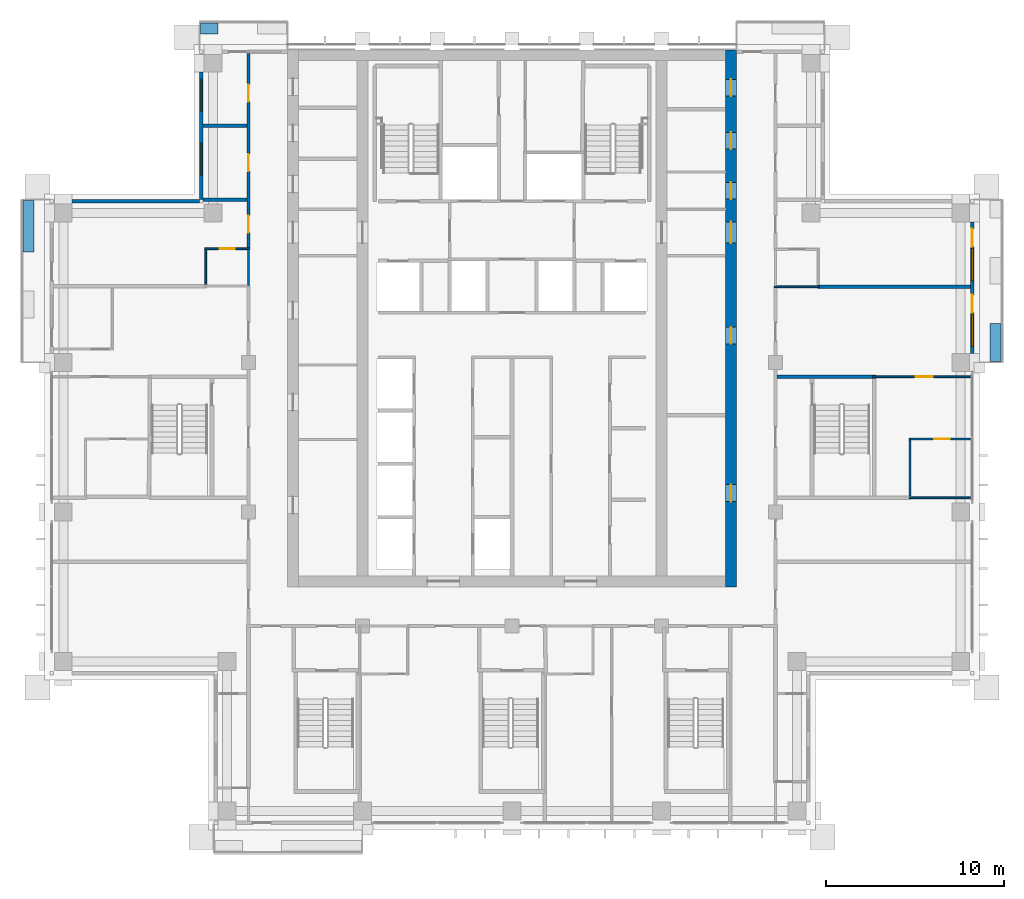
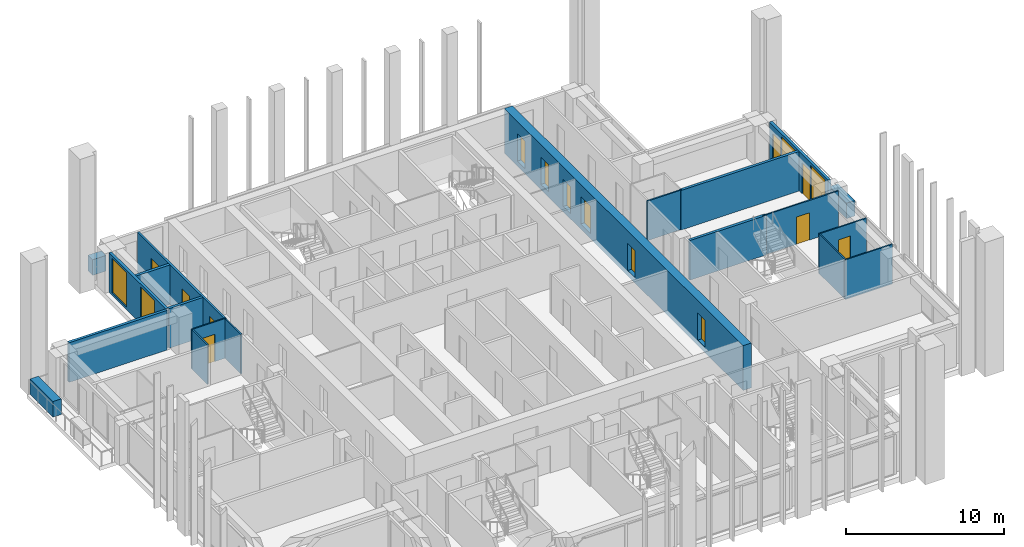
# One storey, part 11 of 17: 20 walls, 14 doors, 4 windows, 18 openings.
"""IFC4 building model written with IfcOpenShell, lengths in metres."""

from ifc_helpers import new_model, si_unit, direction, frame, frame_2d, origin, place, context, subcontext, project, spatial, rectangle, extrude, material, layer, layer_set, type_object, element, fill, save


model = new_model("IFC4")

# Units and contexts
model_context = context("Model", 3, precision=1e-05, world=origin(), true_north=direction((0.0, 1.0)))
body_context = subcontext(model_context, "Body", "Model", "MODEL_VIEW")
ifc_project = project(units=[si_unit("LENGTHUNIT", "METRE"), si_unit("AREAUNIT", "SQUARE_METRE"), si_unit("VOLUMEUNIT", "CUBIC_METRE"), si_unit("PLANEANGLEUNIT", "RADIAN"), si_unit("MASSUNIT", "GRAM", prefix="KILO")], contexts=[model_context])

# Site, building, storey
site_placement = place(None, origin())
site = spatial("IfcSite", under=ifc_project, at=site_placement, CompositionType="ELEMENT")
building_placement = place(site_placement, origin())
building = spatial("IfcBuilding", under=site, at=building_placement, Name="Vermilion Ogive Tower", CompositionType="ELEMENT")
storey_placement = place(building_placement, frame((0.0, 0.0, 175.550048828125)))
storey = spatial("IfcBuildingStorey", under=building, at=storey_placement, Name="L45", CompositionType="ELEMENT", Elevation=175.550048828125)

# Wall, openings, doors
ifc_material_1 = material(Name="Concrete B60", Category="concrete")
ifc_layer_1 = layer(ifc_material_1, 0.60009765625)
ifc_layer_set_1 = layer_set([ifc_layer_1], Name="Core wall 600 B60")
wall_type_1 = type_object("IfcWallType", Name="Core wall 600 B60", PredefinedType="SHEAR", material=ifc_layer_set_1)
wall_1_placement = place(storey_placement, frame((12.300048828125, -8.39990234375, -0.400146484375), z_axis=(0.0, 0.0, 1.0), x_axis=(0.0, 1.0, 0.0)))
wall_1 = element("IfcWall", 1, at=wall_1_placement, inside=storey, type_object=wall_type_1, Name="L45-CORE-E", PredefinedType="SHEAR", context=body_context, shape_type="SweptSolid", body=[
    extrude(rectangle(XDim=30.14990234375, YDim=0.60009765625, at=frame_2d((15.074951171875, 0.0))), origin(), (0.0, 0.0, 1.0), 3.4501953125),
])
opening_1_placement = place(wall_1_placement, frame((4.78759765625, 0.0, 0.39990234375)))
opening_1 = element("IfcOpeningElement", 2, at=opening_1_placement, cuts=wall_1, Name="Opening DAC067", PredefinedType="OPENING", context=body_context, shape_type="SweptSolid", body=[
    extrude(rectangle(XDim=0.949951171875, YDim=2.10009765625, at=frame_2d((0.47509765625, 1.050048828125))), frame((0.0, 0.31005859375, 0.0), z_axis=(0.0, -1.0, 0.0), x_axis=(1.0, 0.0, 0.0)), (0.0, 0.0, 1.0), 0.6201171875),
])
opening_2_placement = place(wall_1_placement, frame((13.6376953125, 0.0, 0.39990234375)))
opening_2 = element("IfcOpeningElement", 3, at=opening_2_placement, cuts=wall_1, Name="Opening DAC068", PredefinedType="OPENING", context=body_context, shape_type="SweptSolid", body=[
    extrude(rectangle(XDim=0.949951171875, YDim=2.10009765625, at=frame_2d((0.47509765625, 1.050048828125))), frame((0.0, 0.31005859375, 0.0), z_axis=(0.0, -1.0, 0.0), x_axis=(1.0, 0.0, 0.0)), (0.0, 0.0, 1.0), 0.6201171875),
])
opening_3_placement = place(wall_1_placement, frame((21.7705078125, 0.0, 0.39990234375)))
opening_3 = element("IfcOpeningElement", 4, at=opening_3_placement, cuts=wall_1, Name="Opening DAC069", PredefinedType="OPENING", context=body_context, shape_type="SweptSolid", body=[
    extrude(rectangle(XDim=0.949951171875, YDim=2.10009765625, at=frame_2d((0.47509765625, 1.050048828125))), frame((0.0, 0.31005859375, 0.0), z_axis=(0.0, -1.0, 0.0), x_axis=(1.0, 0.0, 0.0)), (0.0, 0.0, 1.0), 0.6201171875),
])
opening_4_placement = place(wall_1_placement, frame((24.57568359375, 0.0, 0.39990234375)))
opening_4 = element("IfcOpeningElement", 5, at=opening_4_placement, cuts=wall_1, Name="Opening DAC070", PredefinedType="OPENING", context=body_context, shape_type="SweptSolid", body=[
    extrude(rectangle(XDim=0.949951171875, YDim=2.10009765625, at=frame_2d((0.47509765625, 1.050048828125))), frame((0.0, 0.31005859375, 0.0), z_axis=(0.0, -1.0, 0.0), x_axis=(1.0, 0.0, 0.0)), (0.0, 0.0, 1.0), 0.6201171875),
])
opening_5_placement = place(wall_1_placement, frame((27.555419921875, 0.0, 0.39990234375)))
opening_5 = element("IfcOpeningElement", 6, at=opening_5_placement, cuts=wall_1, Name="Opening DAC071", PredefinedType="OPENING", context=body_context, shape_type="SweptSolid", body=[
    extrude(rectangle(XDim=0.949951171875, YDim=2.10009765625, at=frame_2d((0.47509765625, 1.050048828125))), frame((0.0, 0.31005859375, 0.0), z_axis=(0.0, -1.0, 0.0), x_axis=(1.0, 0.0, 0.0)), (0.0, 0.0, 1.0), 0.6201171875),
])
opening_6_placement = place(wall_1_placement, frame((19.300048828125, 0.0, 0.39990234375)))
opening_6 = element("IfcOpeningElement", 7, at=opening_6_placement, cuts=wall_1, Name="Opening DAL018", PredefinedType="OPENING", context=body_context, shape_type="SweptSolid", body=[
    extrude(rectangle(XDim=1.199951171875, YDim=2.10009765625, at=frame_2d((0.60009765625, 1.050048828125))), frame((0.0, 0.31005859375, 0.0), z_axis=(0.0, -1.0, 0.0), x_axis=(1.0, 0.0, 0.0)), (0.0, 0.0, 1.0), 0.6201171875),
])
ifc_material_2 = material(Name="Timber door leaf", Category="wood")
door_type_1 = type_object("IfcDoorType", Name="Link door 1200 x 2100 FD60S", OperationType="SINGLE_SWING_LEFT", PredefinedType="DOOR", material=ifc_material_2)
door_1_placement = place(opening_6_placement, origin())
door_1 = element("IfcDoor", 8, at=door_1_placement, inside=storey, type_object=door_type_1, Name="L45-CKE-XL", OperationType="SINGLE_SWING_LEFT", OverallHeight=2.10009765625, OverallWidth=1.199951171875, PredefinedType="DOOR", context=body_context, shape_type="SweptSolid", body=[
    extrude(rectangle(XDim=1.199951171875, YDim=2.10009765625, at=frame_2d((0.60009765625, 1.050048828125))), frame((0.0, 0.02490234375, 0.0), z_axis=(0.0, -1.0, 0.0), x_axis=(1.0, 0.0, 0.0)), (0.0, 0.0, 1.0), 0.050048828125),
])
fill(opening_6, door_1)
ifc_material_3 = material(Name="Timber door leaf", Category="wood")
door_type_2 = type_object("IfcDoorType", Name="Service door 950 x 2100 FD60", OperationType="SINGLE_SWING_LEFT", PredefinedType="DOOR", material=ifc_material_3)
door_2_placement = place(opening_1_placement, origin())
door_2 = element("IfcDoor", 9, at=door_2_placement, inside=storey, type_object=door_type_2, Name="L45-CKE-XR0", OperationType="SINGLE_SWING_LEFT", OverallHeight=2.10009765625, OverallWidth=0.949951171875, PredefinedType="DOOR", context=body_context, shape_type="SweptSolid", body=[
    extrude(rectangle(XDim=0.949951171875, YDim=2.10009765625, at=frame_2d((0.47509765625, 1.050048828125))), frame((0.0, 0.02490234375, 0.0), z_axis=(0.0, -1.0, 0.0), x_axis=(1.0, 0.0, 0.0)), (0.0, 0.0, 1.0), 0.050048828125),
])
fill(opening_1, door_2)
door_3_placement = place(opening_2_placement, origin())
door_3 = element("IfcDoor", 10, at=door_3_placement, inside=storey, type_object=door_type_2, Name="L45-CKE-XR1", OperationType="SINGLE_SWING_LEFT", OverallHeight=2.10009765625, OverallWidth=0.949951171875, PredefinedType="DOOR", context=body_context, shape_type="SweptSolid", body=[
    extrude(rectangle(XDim=0.949951171875, YDim=2.10009765625, at=frame_2d((0.47509765625, 1.050048828125))), frame((0.0, 0.02490234375, 0.0), z_axis=(0.0, -1.0, 0.0), x_axis=(1.0, 0.0, 0.0)), (0.0, 0.0, 1.0), 0.050048828125),
])
fill(opening_2, door_3)
door_4_placement = place(opening_3_placement, origin())
door_4 = element("IfcDoor", 11, at=door_4_placement, inside=storey, type_object=door_type_2, Name="L45-CKE-XR2", OperationType="SINGLE_SWING_LEFT", OverallHeight=2.10009765625, OverallWidth=0.949951171875, PredefinedType="DOOR", context=body_context, shape_type="SweptSolid", body=[
    extrude(rectangle(XDim=0.949951171875, YDim=2.10009765625, at=frame_2d((0.47509765625, 1.050048828125))), frame((0.0, 0.02490234375, 0.0), z_axis=(0.0, -1.0, 0.0), x_axis=(1.0, 0.0, 0.0)), (0.0, 0.0, 1.0), 0.050048828125),
])
fill(opening_3, door_4)
door_5_placement = place(opening_4_placement, origin())
door_5 = element("IfcDoor", 12, at=door_5_placement, inside=storey, type_object=door_type_2, Name="L45-CKE-XR3", OperationType="SINGLE_SWING_LEFT", OverallHeight=2.10009765625, OverallWidth=0.949951171875, PredefinedType="DOOR", context=body_context, shape_type="SweptSolid", body=[
    extrude(rectangle(XDim=0.949951171875, YDim=2.10009765625, at=frame_2d((0.47509765625, 1.050048828125))), frame((0.0, 0.02490234375, 0.0), z_axis=(0.0, -1.0, 0.0), x_axis=(1.0, 0.0, 0.0)), (0.0, 0.0, 1.0), 0.050048828125),
])
fill(opening_4, door_5)
door_6_placement = place(opening_5_placement, origin())
door_6 = element("IfcDoor", 13, at=door_6_placement, inside=storey, type_object=door_type_2, Name="L45-CKE-XR4", OperationType="SINGLE_SWING_LEFT", OverallHeight=2.10009765625, OverallWidth=0.949951171875, PredefinedType="DOOR", context=body_context, shape_type="SweptSolid", body=[
    extrude(rectangle(XDim=0.949951171875, YDim=2.10009765625, at=frame_2d((0.47509765625, 1.050048828125))), frame((0.0, 0.02490234375, 0.0), z_axis=(0.0, -1.0, 0.0), x_axis=(1.0, 0.0, 0.0)), (0.0, 0.0, 1.0), 0.050048828125),
])
fill(opening_5, door_6)

# Wall
ifc_material_4 = material(Name="Gypsum board partition on steel studs", Category="steel")
ifc_layer_2 = layer(ifc_material_4, 0.10009765625)
ifc_layer_set_2 = layer_set([ifc_layer_2], Name="Partition 100 bath")
wall_type_2 = type_object("IfcWallType", Name="Partition 100 bath", PredefinedType="PARTITIONING", material=ifc_layer_set_2)
wall_2_placement = place(storey_placement, frame((22.300048828125, -3.39990234375, 0.0), z_axis=(0.0, 0.0, 1.0), x_axis=(1.0, 0.0, 0.0)))
element("IfcWall", 14, at=wall_2_placement, inside=storey, type_object=wall_type_2, Name="L45-W-W024", PredefinedType="PARTITIONING", context=body_context, shape_type="SweptSolid", body=[
    extrude(rectangle(XDim=3.449951171875, YDim=0.10009765625, at=frame_2d((1.72509765625, 0.0))), origin(), (0.0, 0.0, 1.0), 3.050048828125),
])

# Wall, opening, door
wall_3_placement = place(storey_placement, frame((22.300048828125, -0.10009765625, 0.0), z_axis=(0.0, 0.0, 1.0), x_axis=(1.0, 0.0, 0.0)))
wall_3 = element("IfcWall", 15, at=wall_3_placement, inside=storey, type_object=wall_type_2, Name="L45-W-W026", PredefinedType="PARTITIONING", context=body_context, shape_type="SweptSolid", body=[
    extrude(rectangle(XDim=3.449951171875, YDim=0.10009765625, at=frame_2d((1.72509765625, 0.0))), origin(), (0.0, 0.0, 1.0), 3.050048828125),
])
opening_7_placement = place(wall_3_placement, frame((1.425048828125, 0.0, 0.0)))
opening_7 = element("IfcOpeningElement", 16, at=opening_7_placement, cuts=wall_3, Name="Opening D4G1022", PredefinedType="OPENING", context=body_context, shape_type="SweptSolid", body=[
    extrude(rectangle(XDim=0.85009765625, YDim=2.10009765625, at=frame_2d((0.425048828125, 1.050048828125))), frame((0.0, 0.06005859375, 0.0), z_axis=(0.0, -1.0, 0.0), x_axis=(1.0, 0.0, 0.0)), (0.0, 0.0, 1.0), 0.1201171875),
])
ifc_material_5 = material(Name="Timber door leaf", Category="wood")
door_type_3 = type_object("IfcDoorType", Name="Bath door 850 x 2100 FD30", OperationType="SINGLE_SWING_LEFT", PredefinedType="DOOR", material=ifc_material_5)
door_7_placement = place(opening_7_placement, origin())
door_7 = element("IfcDoor", 17, at=door_7_placement, inside=storey, type_object=door_type_3, Name="L45-D-D022", OperationType="SINGLE_SWING_RIGHT", OverallHeight=2.10009765625, OverallWidth=0.85009765625, PredefinedType="DOOR", context=body_context, shape_type="SweptSolid", body=[
    extrude(rectangle(XDim=0.85009765625, YDim=2.10009765625, at=frame_2d((0.425048828125, 1.050048828125))), frame((0.0, 0.02490234375, 0.0), z_axis=(0.0, -1.0, 0.0), x_axis=(1.0, 0.0, 0.0)), (0.0, 0.0, 1.0), 0.050048828125),
])
fill(opening_7, door_7)

# Wall
wall_4_placement = place(storey_placement, frame((14.72509765625, 8.449951171875, 0.0), z_axis=(0.0, 0.0, 1.0), x_axis=(1.0, 0.0, 0.0)))
element("IfcWall", 18, at=wall_4_placement, inside=storey, type_object=wall_type_2, Name="L45-W-W032", PredefinedType="PARTITIONING", context=body_context, shape_type="SweptSolid", body=[
    extrude(rectangle(XDim=2.52490234375, YDim=0.10009765625, at=frame_2d((1.262451171875, 0.0))), origin(), (0.0, 0.0, 1.0), 3.050048828125),
])

# Wall, opening, door
wall_5_placement = place(storey_placement, frame((-17.25, 10.590087890625, 0.0), z_axis=(0.0, 0.0, 1.0), x_axis=(1.0, 0.0, 0.0)))
wall_5 = element("IfcWall", 19, at=wall_5_placement, inside=storey, type_object=wall_type_2, Name="L45-W-W037", PredefinedType="PARTITIONING", context=body_context, shape_type="SweptSolid", body=[
    extrude(rectangle(XDim=2.52490234375, YDim=0.10009765625, at=frame_2d((1.262451171875, 0.0))), origin(), (0.0, 0.0, 1.0), 3.050048828125),
])
opening_8_placement = place(wall_5_placement, frame((0.824951171875, 0.0, 0.0)))
opening_8 = element("IfcOpeningElement", 20, at=opening_8_placement, cuts=wall_5, Name="Opening D4G1009", PredefinedType="OPENING", context=body_context, shape_type="SweptSolid", body=[
    extrude(rectangle(XDim=0.85009765625, YDim=2.10009765625, at=frame_2d((0.425048828125, 1.050048828125))), frame((0.0, 0.06005859375, 0.0), z_axis=(0.0, -1.0, 0.0), x_axis=(1.0, 0.0, 0.0)), (0.0, 0.0, 1.0), 0.1201171875),
])
door_8_placement = place(opening_8_placement, origin())
door_8 = element("IfcDoor", 21, at=door_8_placement, inside=storey, type_object=door_type_3, Name="L45-D-D009", OperationType="SINGLE_SWING_RIGHT", OverallHeight=2.10009765625, OverallWidth=0.85009765625, PredefinedType="DOOR", context=body_context, shape_type="SweptSolid", body=[
    extrude(rectangle(XDim=0.85009765625, YDim=2.10009765625, at=frame_2d((0.425048828125, 1.050048828125))), frame((0.0, 0.02490234375, 0.0), z_axis=(0.0, -1.0, 0.0), x_axis=(1.0, 0.0, 0.0)), (0.0, 0.0, 1.0), 0.050048828125),
])
fill(opening_8, door_8)

# Walls
wall_6_placement = place(storey_placement, frame((-17.199951171875, 8.590087890625, 0.0), z_axis=(0.0, 0.0, 1.0), x_axis=(0.0, 1.0, 0.0)))
element("IfcWall", 22, at=wall_6_placement, inside=storey, type_object=wall_type_2, Name="L45-W-W046", PredefinedType="PARTITIONING", context=body_context, shape_type="SweptSolid", body=[
    extrude(rectangle(XDim=1.949951171875, YDim=0.10009765625, at=frame_2d((0.97509765625, 0.0))), origin(), (0.0, 0.0, 1.0), 3.050048828125),
])
wall_7_placement = place(storey_placement, frame((-14.800048828125, 8.5400390625, 0.0), z_axis=(0.0, 0.0, 1.0), x_axis=(0.0, 1.0, 0.0)))
element("IfcWall", 23, at=wall_7_placement, inside=storey, type_object=wall_type_2, Name="L45-W-W051", PredefinedType="PARTITIONING", context=body_context, shape_type="SweptSolid", body=[
    extrude(rectangle(XDim=2.0, YDim=0.10009765625, at=frame_2d((1.0, 0.0))), origin(), (0.0, 0.0, 1.0), 3.050048828125),
])
wall_8_placement = place(storey_placement, frame((22.35009765625, -3.300048828125, 0.0), z_axis=(0.0, 0.0, 1.0), x_axis=(0.0, 1.0, 0.0)))
element("IfcWall", 24, at=wall_8_placement, inside=storey, type_object=wall_type_2, Name="L45-W-W078", PredefinedType="PARTITIONING", context=body_context, shape_type="SweptSolid", body=[
    extrude(rectangle(XDim=3.150146484375, YDim=0.10009765625, at=frame_2d((1.5751953125, 0.0))), origin(), (0.0, 0.0, 1.0), 3.050048828125),
])

# Wall, opening, door
ifc_material_6 = material(Name="Gypsum board partition on steel studs", Category="steel")
ifc_layer_3 = layer(ifc_material_6, 0.10009765625)
ifc_layer_set_3 = layer_set([ifc_layer_3], Name="Partition 100 inner")
wall_type_3 = type_object("IfcWallType", Name="Partition 100 inner", PredefinedType="PARTITIONING", material=ifc_layer_set_3)
wall_9_placement = place(storey_placement, frame((20.25, 3.39990234375, 0.0), z_axis=(0.0, 0.0, 1.0), x_axis=(1.0, 0.0, 0.0)))
wall_9 = element("IfcWall", 25, at=wall_9_placement, inside=storey, type_object=wall_type_3, Name="L45-W-W030", PredefinedType="PARTITIONING", context=body_context, shape_type="SweptSolid", body=[
    extrude(rectangle(XDim=5.5, YDim=0.10009765625, at=frame_2d((2.75, 0.0))), origin(), (0.0, 0.0, 1.0), 3.050048828125),
])
opening_9_placement = place(wall_9_placement, frame((2.425048828125, 0.0, 0.0)))
opening_9 = element("IfcOpeningElement", 26, at=opening_9_placement, cuts=wall_9, Name="Opening D4G1021", PredefinedType="OPENING", context=body_context, shape_type="SweptSolid", body=[
    extrude(rectangle(XDim=0.949951171875, YDim=2.10009765625, at=frame_2d((0.47509765625, 1.050048828125))), frame((0.0, 0.06005859375, 0.0), z_axis=(0.0, -1.0, 0.0), x_axis=(1.0, 0.0, 0.0)), (0.0, 0.0, 1.0), 0.1201171875),
])
ifc_material_7 = material(Name="Timber door leaf", Category="wood")
door_type_4 = type_object("IfcDoorType", Name="Inner door 950 x 2100 FD30", OperationType="SINGLE_SWING_LEFT", PredefinedType="DOOR", material=ifc_material_7)
door_9_placement = place(opening_9_placement, origin())
door_9 = element("IfcDoor", 27, at=door_9_placement, inside=storey, type_object=door_type_4, Name="L45-D-D021", OperationType="SINGLE_SWING_LEFT", OverallHeight=2.10009765625, OverallWidth=0.949951171875, PredefinedType="DOOR", context=body_context, shape_type="SweptSolid", body=[
    extrude(rectangle(XDim=0.949951171875, YDim=2.10009765625, at=frame_2d((0.47509765625, 1.050048828125))), frame((0.0, 0.02490234375, 0.0), z_axis=(0.0, -1.0, 0.0), x_axis=(1.0, 0.0, 0.0)), (0.0, 0.0, 1.0), 0.050048828125),
])
fill(opening_9, door_9)

# Wall, openings, doors
ifc_material_8 = material(Name="Gypsum board partition on steel studs", Category="steel")
ifc_layer_4 = layer(ifc_material_8, 0.14990234375)
ifc_layer_set_4 = layer_set([ifc_layer_4], Name="Partition 150 corridor")
wall_type_4 = type_object("IfcWallType", Name="Partition 150 corridor", PredefinedType="PARTITIONING", material=ifc_layer_set_4)
wall_10_placement = place(storey_placement, frame((-14.800048828125, 10.639892578125, 0.0), z_axis=(0.0, 0.0, 1.0), x_axis=(0.0, 1.0, 0.0)))
wall_10 = element("IfcWall", 28, at=wall_10_placement, inside=storey, type_object=wall_type_4, Name="L45-W-W052", PredefinedType="PARTITIONING", context=body_context, shape_type="SweptSolid", body=[
    extrude(rectangle(XDim=10.91015625, YDim=0.14990234375, at=frame_2d((5.455078125, 0.0))), origin(), (0.0, 0.0, 1.0), 3.050048828125),
])
opening_10_placement = place(wall_10_placement, frame((0.855224609375, 0.0, 0.0)))
opening_10 = element("IfcOpeningElement", 29, at=opening_10_placement, cuts=wall_10, Name="Opening D4G1008", PredefinedType="OPENING", context=body_context, shape_type="SweptSolid", body=[
    extrude(rectangle(XDim=0.949951171875, YDim=2.10009765625, at=frame_2d((0.47509765625, 1.050048828125))), frame((0.0, 0.0849609375, 0.0), z_axis=(0.0, -1.0, 0.0), x_axis=(1.0, 0.0, 0.0)), (0.0, 0.0, 1.0), 0.169921875),
])
opening_11_placement = place(wall_10_placement, frame((4.31005859375, 0.0, 0.0)))
opening_11 = element("IfcOpeningElement", 30, at=opening_11_placement, cuts=wall_10, Name="Opening D4G1010", PredefinedType="OPENING", context=body_context, shape_type="SweptSolid", body=[
    extrude(rectangle(XDim=0.949951171875, YDim=2.10009765625, at=frame_2d((0.47509765625, 1.050048828125))), frame((0.0, 0.0849609375, 0.0), z_axis=(0.0, -1.0, 0.0), x_axis=(1.0, 0.0, 0.0)), (0.0, 0.0, 1.0), 0.169921875),
])
opening_12_placement = place(wall_10_placement, frame((8.210205078125, 0.0, 0.0)))
opening_12 = element("IfcOpeningElement", 31, at=opening_12_placement, cuts=wall_10, Name="Opening D4G1011", PredefinedType="OPENING", context=body_context, shape_type="SweptSolid", body=[
    extrude(rectangle(XDim=0.949951171875, YDim=2.10009765625, at=frame_2d((0.47509765625, 1.050048828125))), frame((0.0, 0.0849609375, 0.0), z_axis=(0.0, -1.0, 0.0), x_axis=(1.0, 0.0, 0.0)), (0.0, 0.0, 1.0), 0.169921875),
])
ifc_material_9 = material(Name="Timber door leaf", Category="wood")
door_type_5 = type_object("IfcDoorType", Name="Unit door 950 x 2100 FD30S", OperationType="SINGLE_SWING_LEFT", PredefinedType="DOOR", material=ifc_material_9)
door_10_placement = place(opening_10_placement, origin())
door_10 = element("IfcDoor", 32, at=door_10_placement, inside=storey, type_object=door_type_5, Name="L45-D-D008", OperationType="SINGLE_SWING_LEFT", OverallHeight=2.10009765625, OverallWidth=0.949951171875, PredefinedType="DOOR", context=body_context, shape_type="SweptSolid", body=[
    extrude(rectangle(XDim=0.949951171875, YDim=2.10009765625, at=frame_2d((0.47509765625, 1.050048828125))), frame((0.0, 0.02490234375, 0.0), z_axis=(0.0, -1.0, 0.0), x_axis=(1.0, 0.0, 0.0)), (0.0, 0.0, 1.0), 0.050048828125),
])
fill(opening_10, door_10)
door_11_placement = place(opening_11_placement, origin())
door_11 = element("IfcDoor", 33, at=door_11_placement, inside=storey, type_object=door_type_5, Name="L45-D-D010", OperationType="SINGLE_SWING_LEFT", OverallHeight=2.10009765625, OverallWidth=0.949951171875, PredefinedType="DOOR", context=body_context, shape_type="SweptSolid", body=[
    extrude(rectangle(XDim=0.949951171875, YDim=2.10009765625, at=frame_2d((0.47509765625, 1.050048828125))), frame((0.0, 0.02490234375, 0.0), z_axis=(0.0, -1.0, 0.0), x_axis=(1.0, 0.0, 0.0)), (0.0, 0.0, 1.0), 0.050048828125),
])
fill(opening_11, door_11)
door_12_placement = place(opening_12_placement, origin())
door_12 = element("IfcDoor", 34, at=door_12_placement, inside=storey, type_object=door_type_5, Name="L45-D-D011", OperationType="SINGLE_SWING_RIGHT", OverallHeight=2.10009765625, OverallWidth=0.949951171875, PredefinedType="DOOR", context=body_context, shape_type="SweptSolid", body=[
    extrude(rectangle(XDim=0.949951171875, YDim=2.10009765625, at=frame_2d((0.47509765625, 1.050048828125))), frame((0.0, 0.02490234375, 0.0), z_axis=(0.0, -1.0, 0.0), x_axis=(1.0, 0.0, 0.0)), (0.0, 0.0, 1.0), 0.050048828125),
])
fill(opening_12, door_12)

# Walls
ifc_material_10 = material(Name="Gypsum board partition on steel studs", Category="steel")
ifc_layer_5 = layer(ifc_material_10, 0.199951171875)
ifc_layer_set_5 = layer_set([ifc_layer_5], Name="Partition 200 party")
wall_type_5 = type_object("IfcWallType", Name="Partition 200 party", PredefinedType="PARTITIONING", material=ifc_layer_set_5)
wall_11_placement = place(storey_placement, frame((17.14990234375, 8.449951171875, 0.0), z_axis=(0.0, 0.0, 1.0), x_axis=(1.0, 0.0, 0.0)))
element("IfcWall", 35, at=wall_11_placement, inside=storey, type_object=wall_type_5, Name="L45-W-W033", PredefinedType="PARTITIONING", context=body_context, shape_type="SweptSolid", body=[
    extrude(rectangle(XDim=8.60009765625, YDim=0.199951171875, at=frame_2d((4.300048828125, 0.0))), origin(), (0.0, 0.0, 1.0), 3.050048828125),
])
for number, where, z_axis, x_axis, name in (
    (36, (-17.35009765625, 13.35009765625, 0.0), (0.0, 0.0, 1.0), (1.0, 0.0, 0.0), "L45-W-W038"),
    (37, (-17.35009765625, 17.5, 0.0), (0.0, 0.0, 1.0), (1.0, 0.0, 0.0), "L45-W-W040"),
):
    element("IfcWall", number, at=place(storey_placement, frame(where, z_axis=z_axis, x_axis=x_axis)), inside=storey, type_object=wall_type_5, Name=name, PredefinedType="PARTITIONING", context=body_context, shape_type="SweptSolid", body=[
        extrude(rectangle(XDim=2.47509765625, YDim=0.199951171875, at=frame_2d((1.237548828125, 0.0))), origin(), (0.0, 0.0, 1.0), 3.050048828125),
    ])
ifc_material_11 = material(Name="Concrete B60", Category="concrete")
ifc_layer_6 = layer(ifc_material_11, 0.199951171875)
ifc_layer_set_6 = layer_set([ifc_layer_6], Name="Stair shaft wall 200 Concrete B60")
wall_type_6 = type_object("IfcWallType", Name="Stair shaft wall 200 Concrete B60", PredefinedType="SOLIDWALL", material=ifc_layer_set_6)
wall_12_placement = place(storey_placement, frame((14.875, 3.39990234375, 0.0), z_axis=(0.0, 0.0, 1.0), x_axis=(1.0, 0.0, 0.0)))
element("IfcWall", 38, at=wall_12_placement, inside=storey, type_object=wall_type_6, Name="L45-W-W029", PredefinedType="SOLIDWALL", context=body_context, shape_type="SweptSolid", body=[
    extrude(rectangle(XDim=5.574951171875, YDim=0.199951171875, at=frame_2d((2.78759765625, 0.0))), origin(), (0.0, 0.0, 1.0), 3.050048828125),
])
ifc_material_12 = material(Name="Concrete B40", Category="concrete")
ifc_layer_7 = layer(ifc_material_12, 0.60009765625)
ifc_layer_set_7 = layer_set([ifc_layer_7], Name="Structural planter")
wall_type_7 = type_object("IfcWallType", Name="Structural planter", PredefinedType="USERDEFINED", material=ifc_layer_set_7)
wall_13_placement = place(storey_placement, frame((27.154052734375, 4.260009765625, -0.0400390625), z_axis=(0.0, 0.0, 1.0), x_axis=(0.0, 1.0, 0.0)))
element("IfcWall", 39, at=wall_13_placement, inside=storey, type_object=wall_type_7, Name="Planter E03A1", ObjectType="PLANTER", PredefinedType="USERDEFINED", context=body_context, shape_type="SweptSolid", body=[
    extrude(rectangle(XDim=2.139892578125, YDim=0.60009765625, at=frame_2d((1.06982421875, 0.0))), origin(), (0.0, 0.0, 1.0), 1.199951171875),
])
wall_14_placement = place(storey_placement, frame((-16.5, 22.9541015625, -0.0400390625), z_axis=(0.0, 0.0, 1.0), x_axis=(-1.0, 0.0, 0.0)))
element("IfcWall", 40, at=wall_14_placement, inside=storey, type_object=wall_type_7, Name="Planter N201A2", ObjectType="PLANTER", PredefinedType="USERDEFINED", context=body_context, shape_type="SweptSolid", body=[
    extrude(rectangle(XDim=0.989990234375, YDim=0.60009765625, at=frame_2d((0.4951171875, 0.0))), origin(), (0.0, 0.0, 1.0), 1.199951171875),
])
wall_15_placement = place(storey_placement, frame((-27.154052734375, 13.2900390625, -0.0400390625), z_axis=(0.0, 0.0, 1.0), x_axis=(0.0, -1.0, 0.0)))
element("IfcWall", 41, at=wall_15_placement, inside=storey, type_object=wall_type_7, Name="Planter W01A1", ObjectType="PLANTER", PredefinedType="USERDEFINED", context=body_context, shape_type="SweptSolid", body=[
    extrude(rectangle(XDim=2.89013671875, YDim=0.60009765625, at=frame_2d((1.445068359375, 0.0))), origin(), (0.0, 0.0, 1.0), 1.199951171875),
])

# Wall, openings, doors, windows
ifc_material_13 = material(Name="Aluminium window wall framing", Category="aluminium")
ifc_layer_8 = layer(ifc_material_13, 0.199951171875)
ifc_layer_set_8 = layer_set([ifc_layer_8], Name="Window wall")
wall_type_8 = type_object("IfcWallType", Name="Window wall", PredefinedType="STANDARD", material=ifc_layer_set_8)
wall_16_placement = place(storey_placement, frame((25.85009765625, 4.699951171875, 0.0), z_axis=(0.0, 0.0, 1.0), x_axis=(0.0, 1.0, 0.0)))
wall_16 = element("IfcWall", 42, at=wall_16_placement, inside=storey, type_object=wall_type_8, Name="Window wall E3", PredefinedType="STANDARD", context=body_context, shape_type="SweptSolid", body=[
    extrude(rectangle(XDim=7.400146484375, YDim=0.199951171875, at=frame_2d((3.7001953125, 0.0))), origin(), (0.0, 0.0, 1.0), 3.050048828125),
])
opening_13_placement = place(wall_16_placement, frame((0.39990234375, 0.0, 0.199951171875)))
opening_13 = element("IfcOpeningElement", 43, at=opening_13_placement, cuts=wall_16, Name="Opening W1-E01", PredefinedType="OPENING", context=body_context, shape_type="SweptSolid", body=[
    extrude(rectangle(XDim=1.800048828125, YDim=2.64990234375, at=frame_2d((0.89990234375, 1.324951171875))), frame((0.0, 0.10986328125, 0.0), z_axis=(0.0, -1.0, 0.0), x_axis=(1.0, 0.0, 0.0)), (0.0, 0.0, 1.0), 0.219970703125),
])
opening_14_placement = place(wall_16_placement, frame((2.300048828125, 0.0, 0.0)))
opening_14 = element("IfcOpeningElement", 44, at=opening_14_placement, cuts=wall_16, Name="Opening D1-E01", PredefinedType="OPENING", context=body_context, shape_type="SweptSolid", body=[
    extrude(rectangle(XDim=1.0, YDim=2.39990234375, at=frame_2d((0.5, 1.199951171875))), frame((0.0, 0.10986328125, 0.0), z_axis=(0.0, -1.0, 0.0), x_axis=(1.0, 0.0, 0.0)), (0.0, 0.0, 1.0), 0.219970703125),
])
opening_15_placement = place(wall_16_placement, frame((4.10009765625, 0.0, 0.199951171875)))
opening_15 = element("IfcOpeningElement", 45, at=opening_15_placement, cuts=wall_16, Name="Opening W1-E02", PredefinedType="OPENING", context=body_context, shape_type="SweptSolid", body=[
    extrude(rectangle(XDim=1.800048828125, YDim=2.64990234375, at=frame_2d((0.89990234375, 1.324951171875))), frame((0.0, 0.10986328125, 0.0), z_axis=(0.0, -1.0, 0.0), x_axis=(1.0, 0.0, 0.0)), (0.0, 0.0, 1.0), 0.219970703125),
])
opening_16_placement = place(wall_16_placement, frame((6.0, 0.0, 0.0)))
opening_16 = element("IfcOpeningElement", 46, at=opening_16_placement, cuts=wall_16, Name="Opening D1-E02", PredefinedType="OPENING", context=body_context, shape_type="SweptSolid", body=[
    extrude(rectangle(XDim=1.0, YDim=2.39990234375, at=frame_2d((0.5, 1.199951171875))), frame((0.0, 0.10986328125, 0.0), z_axis=(0.0, -1.0, 0.0), x_axis=(1.0, 0.0, 0.0)), (0.0, 0.0, 1.0), 0.219970703125),
])
ifc_material_14 = material(Name="Aluminium framed glazed door", Category="aluminium")
door_type_6 = type_object("IfcDoorType", Name="Balcony door D1", OperationType="SINGLE_SWING_LEFT", PredefinedType="DOOR", material=ifc_material_14)
door_13_placement = place(opening_14_placement, origin())
door_13 = element("IfcDoor", 47, at=door_13_placement, inside=storey, type_object=door_type_6, Name="Balcony door E01", OperationType="SINGLE_SWING_LEFT", OverallHeight=2.39990234375, OverallWidth=1.0, PredefinedType="DOOR", context=body_context, shape_type="SweptSolid", body=[
    extrude(rectangle(XDim=1.0, YDim=2.39990234375, at=frame_2d((0.5, 1.199951171875))), frame((0.0, 0.02490234375, 0.0), z_axis=(0.0, -1.0, 0.0), x_axis=(1.0, 0.0, 0.0)), (0.0, 0.0, 1.0), 0.050048828125),
])
fill(opening_14, door_13)
door_14_placement = place(opening_16_placement, origin())
door_14 = element("IfcDoor", 48, at=door_14_placement, inside=storey, type_object=door_type_6, Name="Balcony door E02", OperationType="SINGLE_SWING_LEFT", OverallHeight=2.39990234375, OverallWidth=1.0, PredefinedType="DOOR", context=body_context, shape_type="SweptSolid", body=[
    extrude(rectangle(XDim=1.0, YDim=2.39990234375, at=frame_2d((0.5, 1.199951171875))), frame((0.0, 0.02490234375, 0.0), z_axis=(0.0, -1.0, 0.0), x_axis=(1.0, 0.0, 0.0)), (0.0, 0.0, 1.0), 0.050048828125),
])
fill(opening_16, door_14)
ifc_material_15 = material(Name="Aluminium framed double glazing", Category="aluminium")
window_type = type_object("IfcWindowType", Name="Guest window W1", PartitioningType="SINGLE_PANEL", PredefinedType="WINDOW", material=ifc_material_15)
window_1_placement = place(opening_13_placement, origin())
window_1 = element("IfcWindow", 49, at=window_1_placement, inside=storey, type_object=window_type, Name="Window E01", OverallHeight=2.64990234375, OverallWidth=1.800048828125, PartitioningType="SINGLE_PANEL", PredefinedType="WINDOW", context=body_context, shape_type="SweptSolid", body=[
    extrude(rectangle(XDim=1.800048828125, YDim=2.64990234375, at=frame_2d((0.89990234375, 1.324951171875))), frame((0.0, 0.030029296875, 0.0), z_axis=(0.0, -1.0, 0.0), x_axis=(1.0, 0.0, 0.0)), (0.0, 0.0, 1.0), 0.06005859375),
])
fill(opening_13, window_1)
window_2_placement = place(opening_15_placement, origin())
window_2 = element("IfcWindow", 50, at=window_2_placement, inside=storey, type_object=window_type, Name="Window E02", OverallHeight=2.64990234375, OverallWidth=1.800048828125, PartitioningType="SINGLE_PANEL", PredefinedType="WINDOW", context=body_context, shape_type="SweptSolid", body=[
    extrude(rectangle(XDim=1.800048828125, YDim=2.64990234375, at=frame_2d((0.89990234375, 1.324951171875))), frame((0.0, 0.030029296875, 0.0), z_axis=(0.0, -1.0, 0.0), x_axis=(1.0, 0.0, 0.0)), (0.0, 0.0, 1.0), 0.06005859375),
])
fill(opening_15, window_2)

# Wall, openings, windows
wall_17_placement = place(storey_placement, frame((-17.449951171875, 20.5, 0.0), z_axis=(0.0, 0.0, 1.0), x_axis=(0.0, -1.0, 0.0)))
wall_17 = element("IfcWall", 51, at=wall_17_placement, inside=storey, type_object=wall_type_8, Name="Window wall X51", PredefinedType="STANDARD", context=body_context, shape_type="SweptSolid", body=[
    extrude(rectangle(XDim=7.14990234375, YDim=0.199951171875, at=frame_2d((3.574951171875, 0.0))), origin(), (0.0, 0.0, 1.0), 3.050048828125),
])
opening_17_placement = place(wall_17_placement, frame((3.97509765625, 0.0, 0.199951171875)))
opening_17 = element("IfcOpeningElement", 52, at=opening_17_placement, cuts=wall_17, Name="Opening W1-X503", PredefinedType="OPENING", context=body_context, shape_type="SweptSolid", body=[
    extrude(rectangle(XDim=1.800048828125, YDim=2.64990234375, at=frame_2d((0.89990234375, 1.324951171875))), frame((0.0, 0.10986328125, 0.0), z_axis=(0.0, -1.0, 0.0), x_axis=(1.0, 0.0, 0.0)), (0.0, 0.0, 1.0), 0.219970703125),
])
opening_18_placement = place(wall_17_placement, frame((0.39990234375, 0.0, 0.199951171875)))
opening_18 = element("IfcOpeningElement", 53, at=opening_18_placement, cuts=wall_17, Name="Opening W1-X504", PredefinedType="OPENING", context=body_context, shape_type="SweptSolid", body=[
    extrude(rectangle(XDim=1.800048828125, YDim=2.64990234375, at=frame_2d((0.89990234375, 1.324951171875))), frame((0.0, 0.10986328125, 0.0), z_axis=(0.0, -1.0, 0.0), x_axis=(1.0, 0.0, 0.0)), (0.0, 0.0, 1.0), 0.219970703125),
])
window_3_placement = place(opening_17_placement, origin())
window_3 = element("IfcWindow", 54, at=window_3_placement, inside=storey, type_object=window_type, Name="Window X503", OverallHeight=2.64990234375, OverallWidth=1.800048828125, PartitioningType="SINGLE_PANEL", PredefinedType="WINDOW", context=body_context, shape_type="SweptSolid", body=[
    extrude(rectangle(XDim=1.800048828125, YDim=2.64990234375, at=frame_2d((0.89990234375, 1.324951171875))), frame((0.0, 0.030029296875, 0.0), z_axis=(0.0, -1.0, 0.0), x_axis=(1.0, 0.0, 0.0)), (0.0, 0.0, 1.0), 0.06005859375),
])
fill(opening_17, window_3)
window_4_placement = place(opening_18_placement, origin())
window_4 = element("IfcWindow", 55, at=window_4_placement, inside=storey, type_object=window_type, Name="Window X504", OverallHeight=2.64990234375, OverallWidth=1.800048828125, PartitioningType="SINGLE_PANEL", PredefinedType="WINDOW", context=body_context, shape_type="SweptSolid", body=[
    extrude(rectangle(XDim=1.800048828125, YDim=2.64990234375, at=frame_2d((0.89990234375, 1.324951171875))), frame((0.0, 0.030029296875, 0.0), z_axis=(0.0, -1.0, 0.0), x_axis=(1.0, 0.0, 0.0)), (0.0, 0.0, 1.0), 0.06005859375),
])
fill(opening_18, window_4)

# Wall
wall_18_placement = place(storey_placement, frame((-17.550048828125, 13.25, 0.0), z_axis=(0.0, 0.0, 1.0), x_axis=(-1.0, 0.0, 0.0)))
element("IfcWall", 56, at=wall_18_placement, inside=storey, type_object=wall_type_8, Name="Window wall X61", PredefinedType="STANDARD", context=body_context, shape_type="SweptSolid", body=[
    extrude(rectangle(XDim=7.14990234375, YDim=0.199951171875, at=frame_2d((3.574951171875, 0.0))), origin(), (0.0, 0.0, 1.0), 3.050048828125),
])

save(model, "model.ifc")
